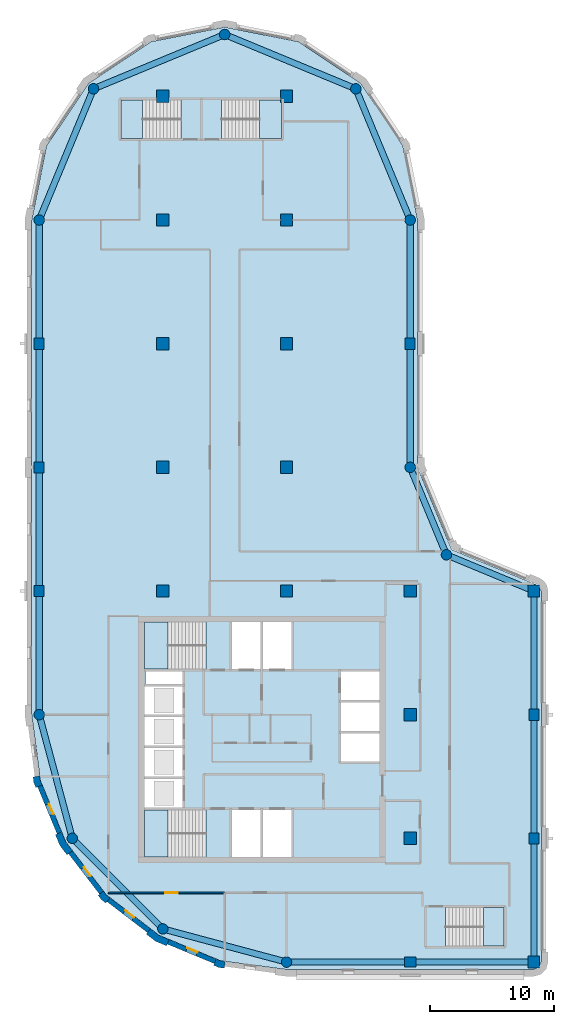
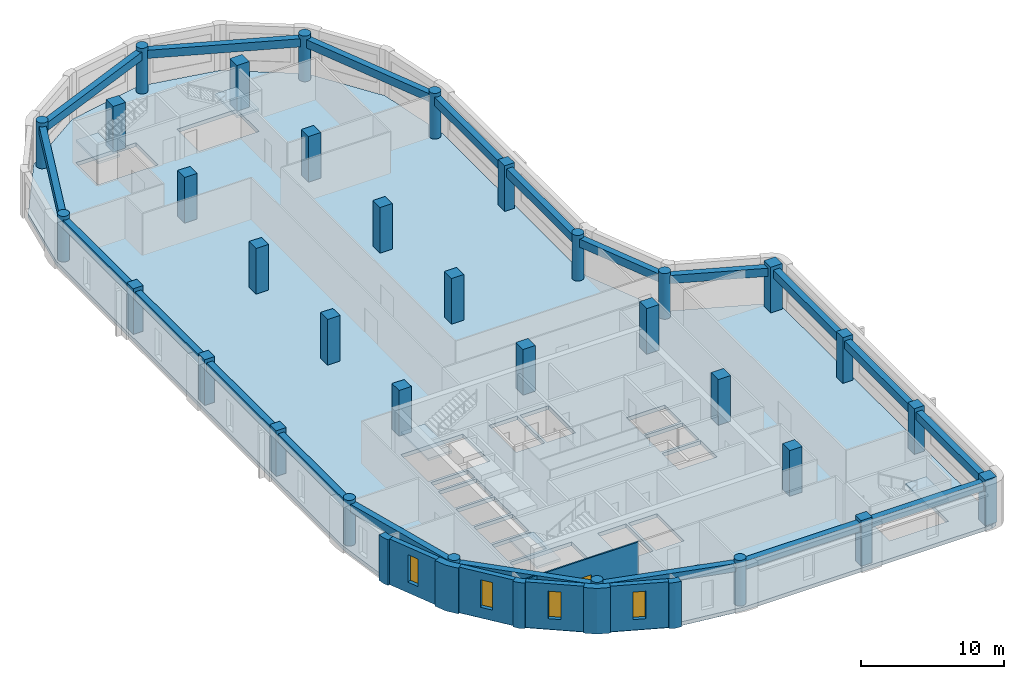
# One storey, part 1 of 8: 33 columns, 20 beams, 10 walls, 6 slabs, 4 windows, 1 door, 5 openings, 5 elements without a shape of their own.
"""IFC4 building model written with IfcOpenShell, lengths in metres."""

from ifc_helpers import new_model, si_unit, direction, frame, frame_2d, origin, origin_2d, place, context, subcontext, project, spatial, polyline, rectangle, circle, outline, extrude, material, layer, layer_set, material_profile, profile_set, type_object, element, fill, aggregate, save


model = new_model("IFC4")

# Units and contexts
model_context = context("Model", 3, precision=1e-05, world=origin(), true_north=direction((0.0, 1.0)))
body_context = subcontext(model_context, "Body", "Model", "MODEL_VIEW")
ifc_project = project(units=[si_unit("LENGTHUNIT", "METRE"), si_unit("AREAUNIT", "SQUARE_METRE"), si_unit("VOLUMEUNIT", "CUBIC_METRE"), si_unit("PLANEANGLEUNIT", "RADIAN"), si_unit("MASSUNIT", "GRAM", prefix="KILO")], contexts=[model_context])

# Site, building, storey
site_placement = place(None, origin())
site = spatial("IfcSite", under=ifc_project, at=site_placement, CompositionType="ELEMENT")
building_placement = place(site_placement, origin())
building = spatial("IfcBuilding", under=site, at=building_placement, Name="Qaws Garden Tower", CompositionType="ELEMENT")
storey_placement = place(building_placement, frame((0.0, 0.0, 282.60009765625)))
storey = spatial("IfcBuildingStorey", under=building, at=storey_placement, Name="L68", CompositionType="ELEMENT", Elevation=282.60009765625)

# Columns
ifc_material_1 = material(Name="Concrete C60", Category="concrete")
ifc_material_profile_1 = material_profile(ifc_material_1, rectangle(XDim=1.0, YDim=1.0, at=origin_2d()), Name="RC 1000x1000")
ifc_profile_set_1 = profile_set([ifc_material_profile_1], Name="Concrete C60")
column_type_1 = type_object("IfcColumnType", Name="Column RC 1000x1000 C60", PredefinedType="COLUMN", material=ifc_profile_set_1)
for number, where, z_axis, x_axis, name in (
    (1, (10.0, 30.0, 0.0), (0.0, 0.0, 1.0), (1.0, 0.0, 0.0), "Column L68-021"),
    (2, (10.0, 40.0, 0.0), (0.0, 0.0, 1.0), (1.0, 0.0, 0.0), "Column L68-022"),
    (3, (10.0, 50.0, 0.0), (0.0, 0.0, 1.0), (1.0, 0.0, 0.0), "Column L68-023"),
    (4, (10.0, 60.0, 0.0), (0.0, 0.0, 1.0), (1.0, 0.0, 0.0), "Column L68-024"),
    (5, (10.0, 70.0, 0.0), (0.0, 0.0, 1.0), (1.0, 0.0, 0.0), "Column L68-025"),
    (6, (20.0, 30.0, 0.0), (0.0, 0.0, 1.0), (1.0, 0.0, 0.0), "Column L68-026"),
    (7, (20.0, 40.0, 0.0), (0.0, 0.0, 1.0), (1.0, 0.0, 0.0), "Column L68-027"),
    (8, (20.0, 50.0, 0.0), (0.0, 0.0, 1.0), (1.0, 0.0, 0.0), "Column L68-028"),
    (9, (20.0, 60.0, 0.0), (0.0, 0.0, 1.0), (1.0, 0.0, 0.0), "Column L68-029"),
    (10, (20.0, 70.0, 0.0), (0.0, 0.0, 1.0), (1.0, 0.0, 0.0), "Column L68-030"),
    (11, (30.0, 10.0, 0.0), (0.0, 0.0, 1.0), (1.0, 0.0, 0.0), "Column L68-031"),
    (12, (30.0, 20.0, 0.0), (0.0, 0.0, 1.0), (1.0, 0.0, 0.0), "Column L68-032"),
    (13, (30.0, 30.0, 0.0), (0.0, 0.0, 1.0), (1.0, 0.0, 0.0), "Column L68-033"),
):
    element("IfcColumn", number, at=place(storey_placement, frame(where, z_axis=z_axis, x_axis=x_axis)), inside=storey, type_object=column_type_1, Name=name, PredefinedType="COLUMN", context=body_context, shape_type="SweptSolid", body=[
        extrude(rectangle(XDim=1.0, YDim=1.0, at=origin_2d()), origin(), (0.0, 0.0, 1.0), 3.89990234375),
    ])
ifc_material_2 = material(Name="Concrete C60", Category="concrete")
ifc_material_profile_2 = material_profile(ifc_material_2, rectangle(XDim=0.89990234375, YDim=0.800048828125, at=origin_2d()), Name="RC 900x800")
ifc_profile_set_2 = profile_set([ifc_material_profile_2], Name="Concrete C60")
column_type_2 = type_object("IfcColumnType", Name="Column RC 900x800 C60", PredefinedType="COLUMN", material=ifc_profile_set_2)
for number, where, z_axis, x_axis, name in (
    (14, (30.0, 0.0, 0.0), (0.0, 0.0, 1.0), (1.0, 0.0, 0.0), "Column L68-002"),
    (15, (40.0, 10.0, 0.0), (0.0, 0.0, 1.0), (0.0, 1.0, 0.0), "Column L68-004"),
    (16, (40.0, 20.0, 0.0), (0.0, 0.0, 1.0), (0.0, 1.0, 0.0), "Column L68-005"),
    (17, (30.0, 50.0, 0.0), (0.0, 0.0, 1.0), (0.0, 1.0, 0.0), "Column L68-009"),
    (18, (0.0, 50.0, 0.0), (0.0, 0.0, 1.0), (0.0, 1.0, 0.0), "Column L68-015"),
    (19, (0.0, 40.0, 0.0), (0.0, 0.0, 1.0), (0.0, 1.0, 0.0), "Column L68-016"),
    (20, (0.0, 30.0, 0.0), (0.0, 0.0, 1.0), (0.0, 1.0, 0.0), "Column L68-017"),
):
    element("IfcColumn", number, at=place(storey_placement, frame(where, z_axis=z_axis, x_axis=x_axis)), inside=storey, type_object=column_type_2, Name=name, PredefinedType="COLUMN", context=body_context, shape_type="SweptSolid", body=[
        extrude(rectangle(XDim=0.89990234375, YDim=0.800048828125, at=origin_2d()), origin(), (0.0, 0.0, 1.0), 3.89990234375),
    ])
ifc_material_3 = material(Name="Concrete C60", Category="concrete")
ifc_material_profile_3 = material_profile(ifc_material_3, rectangle(XDim=0.949951171875, YDim=0.949951171875, at=origin_2d()), Name="RC 950x950")
ifc_profile_set_3 = profile_set([ifc_material_profile_3], Name="Concrete C60")
column_type_3 = type_object("IfcColumnType", Name="Column RC 950x950 C60", PredefinedType="COLUMN", material=ifc_profile_set_3)
for number, where, z_axis, x_axis, name in (
    (21, (40.0, 0.0, 0.0), (0.0, 0.0, 1.0), (1.0, 0.0, 0.0), "Column L68-003"),
    (22, (40.0, 30.0, 0.0), (0.0, 0.0, 1.0), (1.0, 0.0, 0.0), "Column L68-006"),
):
    element("IfcColumn", number, at=place(storey_placement, frame(where, z_axis=z_axis, x_axis=x_axis)), inside=storey, type_object=column_type_3, Name=name, PredefinedType="COLUMN", context=body_context, shape_type="SweptSolid", body=[
        extrude(rectangle(XDim=0.949951171875, YDim=0.949951171875, at=origin_2d()), origin(), (0.0, 0.0, 1.0), 3.89990234375),
    ])
ifc_material_4 = material(Name="Concrete C60", Category="concrete")
ifc_material_profile_4 = material_profile(ifc_material_4, circle(Radius=0.425048828125, at=origin_2d()), Name="RC D850")
ifc_profile_set_4 = profile_set([ifc_material_profile_4], Name="Concrete C60")
column_type_4 = type_object("IfcColumnType", Name="Column RC D850 C60", PredefinedType="COLUMN", material=ifc_profile_set_4)
for number, where, z_axis, x_axis, name in (
    (23, (20.0, 0.0, 0.0), (0.0, 0.0, 1.0), (1.0, 0.0, 0.0), "Column L68-001"),
    (24, (32.928955078125, 32.928955078125, 0.0), (0.0, 0.0, 1.0), (1.0, 0.0, 0.0), "Column L68-007"),
    (25, (30.0, 40.0, 0.0), (0.0, 0.0, 1.0), (1.0, 0.0, 0.0), "Column L68-008"),
    (26, (30.0, 60.0, 0.0), (0.0, 0.0, 1.0), (1.0, 0.0, 0.0), "Column L68-010"),
    (27, (25.606689453125, 70.606689453125, 0.0), (0.0, 0.0, 1.0), (1.0, 0.0, 0.0), "Column L68-011"),
    (28, (15.0, 75.0, 0.0), (0.0, 0.0, 1.0), (1.0, 0.0, 0.0), "Column L68-012"),
    (29, (4.393310546875, 70.606689453125, 0.0), (0.0, 0.0, 1.0), (1.0, 0.0, 0.0), "Column L68-013"),
    (30, (0.0, 60.0, 0.0), (0.0, 0.0, 1.0), (1.0, 0.0, 0.0), "Column L68-014"),
    (31, (0.0, 20.0, 0.0), (0.0, 0.0, 1.0), (1.0, 0.0, 0.0), "Column L68-018"),
    (32, (2.679443359375, 10.0, 0.0), (0.0, 0.0, 1.0), (1.0, 0.0, 0.0), "Column L68-019"),
    (33, (10.0, 2.679443359375, 0.0), (0.0, 0.0, 1.0), (1.0, 0.0, 0.0), "Column L68-020"),
):
    element("IfcColumn", number, at=place(storey_placement, frame(where, z_axis=z_axis, x_axis=x_axis)), inside=storey, type_object=column_type_4, Name=name, PredefinedType="COLUMN", context=body_context, shape_type="SweptSolid", body=[
        extrude(circle(Radius=0.425048828125, at=origin_2d()), origin(), (0.0, 0.0, 1.0), 3.89990234375),
    ])

# Beams
ifc_material_5 = material(Name="Concrete C45", Category="concrete")
ifc_material_profile_5 = material_profile(ifc_material_5, rectangle(XDim=0.5, YDim=0.699951171875, at=origin_2d()), Name="RC 500x700")
ifc_profile_set_5 = profile_set([ifc_material_profile_5], Name="Concrete C45")
beam_type = type_object("IfcBeamType", Name="Spandrel beam RC 500x700 C45", PredefinedType="SPANDREL", material=ifc_profile_set_5)
for number, where, z_axis, x_axis, name in (
    (34, (20.0, 0.0, 3.22998046875), (1.0, 0.0, 0.0), (0.0, 1.0, 0.0), "Spandrel beam L68-001"),
    (35, (30.0, 0.0, 3.22998046875), (1.0, 0.0, 0.0), (0.0, 1.0, 0.0), "Spandrel beam L68-002"),
    (36, (40.0, 0.0, 3.22998046875), (0.0, 1.0, 0.0), (-1.0, 0.0, 0.0), "Spandrel beam L68-003"),
    (37, (40.0, 10.0, 3.22998046875), (0.0, 1.0, 0.0), (-1.0, 0.0, 0.0), "Spandrel beam L68-004"),
    (38, (40.0, 20.0, 3.22998046875), (0.0, 1.0, 0.0), (-1.0, 0.0, 0.0), "Spandrel beam L68-005"),
):
    element("IfcBeam", number, at=place(storey_placement, frame(where, z_axis=z_axis, x_axis=x_axis)), inside=storey, type_object=beam_type, Name=name, PredefinedType="SPANDREL", context=body_context, shape_type="SweptSolid", body=[
        extrude(rectangle(XDim=0.5, YDim=0.699951171875, at=origin_2d()), origin(), (0.0, 0.0, 1.0), 10.0),
    ])
for number, where, z_axis, x_axis, name in (
    (39, (40.0, 30.0, 3.22998046875), (-0.923878037141, 0.382687042488, 0.0), (-0.382687042488, -0.923878037141, 0.0), "Spandrel beam L68-006"),
    (40, (32.928955078125, 32.928955078125, 3.22998046875), (-0.382687042488, 0.923878037141, 0.0), (-0.923878037141, -0.382687042488, 0.0), "Spandrel beam L68-007"),
):
    element("IfcBeam", number, at=place(storey_placement, frame(where, z_axis=z_axis, x_axis=x_axis)), inside=storey, type_object=beam_type, Name=name, PredefinedType="SPANDREL", context=body_context, shape_type="SweptSolid", body=[
        extrude(rectangle(XDim=0.5, YDim=0.699951171875, at=origin_2d()), origin(), (0.0, 0.0, 1.0), 7.653564453125),
    ])
for number, where, z_axis, x_axis, name in (
    (41, (30.0, 40.0, 3.22998046875), (0.0, 1.0, 0.0), (-1.0, 0.0, 0.0), "Spandrel beam L68-008"),
    (42, (30.0, 50.0, 3.22998046875), (0.0, 1.0, 0.0), (-1.0, 0.0, 0.0), "Spandrel beam L68-009"),
):
    element("IfcBeam", number, at=place(storey_placement, frame(where, z_axis=z_axis, x_axis=x_axis)), inside=storey, type_object=beam_type, Name=name, PredefinedType="SPANDREL", context=body_context, shape_type="SweptSolid", body=[
        extrude(rectangle(XDim=0.5, YDim=0.699951171875, at=origin_2d()), origin(), (0.0, 0.0, 1.0), 10.0),
    ])
for number, where, z_axis, x_axis, name in (
    (43, (30.0, 60.0, 3.22998046875), (-0.382674207535, 0.923883353507, 0.0), (-0.923883353507, -0.382674207535, 0.0), "Spandrel beam L68-010"),
    (44, (25.606689453125, 70.606689453125, 3.22998046875), (-0.923883353507, 0.382674207535, 0.0), (-0.382674207535, -0.923883353507, 0.0), "Spandrel beam L68-011"),
    (45, (15.0, 75.0, 3.22998046875), (-0.923883353507, -0.382674207535, 0.0), (0.382674207535, -0.923883353507, 0.0), "Spandrel beam L68-012"),
    (46, (4.393310546875, 70.606689453125, 3.22998046875), (-0.382674207535, -0.923883353507, 0.0), (0.923883353507, -0.382674207535, 0.0), "Spandrel beam L68-013"),
):
    element("IfcBeam", number, at=place(storey_placement, frame(where, z_axis=z_axis, x_axis=x_axis)), inside=storey, type_object=beam_type, Name=name, PredefinedType="SPANDREL", context=body_context, shape_type="SweptSolid", body=[
        extrude(rectangle(XDim=0.5, YDim=0.699951171875, at=origin_2d()), origin(), (0.0, 0.0, 1.0), 11.48046875),
    ])
for number, where, z_axis, x_axis, name in (
    (47, (0.0, 60.0, 3.22998046875), (0.0, -1.0, 0.0), (1.0, 0.0, 0.0), "Spandrel beam L68-014"),
    (48, (0.0, 50.0, 3.22998046875), (0.0, -1.0, 0.0), (1.0, 0.0, 0.0), "Spandrel beam L68-015"),
    (49, (0.0, 40.0, 3.22998046875), (0.0, -1.0, 0.0), (1.0, 0.0, 0.0), "Spandrel beam L68-016"),
    (50, (0.0, 30.0, 3.22998046875), (0.0, -1.0, 0.0), (1.0, 0.0, 0.0), "Spandrel beam L68-017"),
):
    element("IfcBeam", number, at=place(storey_placement, frame(where, z_axis=z_axis, x_axis=x_axis)), inside=storey, type_object=beam_type, Name=name, PredefinedType="SPANDREL", context=body_context, shape_type="SweptSolid", body=[
        extrude(rectangle(XDim=0.5, YDim=0.699951171875, at=origin_2d()), origin(), (0.0, 0.0, 1.0), 10.0),
    ])
for number, where, z_axis, x_axis, name in (
    (51, (0.0, 20.0, 3.22998046875), (0.25881466832, -0.965926999034, 0.0), (0.965926999034, 0.25881466832, 0.0), "Spandrel beam L68-018"),
    (52, (2.679443359375, 10.0, 3.22998046875), (0.707106781187, -0.707106781187, 0.0), (0.707106781187, 0.707106781187, 0.0), "Spandrel beam L68-019"),
    (53, (10.0, 2.679443359375, 3.22998046875), (0.965926999034, -0.25881466832, 0.0), (0.25881466832, 0.965926999034, 0.0), "Spandrel beam L68-020"),
):
    element("IfcBeam", number, at=place(storey_placement, frame(where, z_axis=z_axis, x_axis=x_axis)), inside=storey, type_object=beam_type, Name=name, PredefinedType="SPANDREL", context=body_context, shape_type="SweptSolid", body=[
        extrude(rectangle(XDim=0.5, YDim=0.699951171875, at=origin_2d()), origin(), (0.0, 0.0, 1.0), 10.352783203125),
    ])

# Slab
ifc_material_6 = material(Name="Concrete C40", Category="concrete")
ifc_layer_1 = layer(ifc_material_6, 0.320068359375)
ifc_layer_set_1 = layer_set([ifc_layer_1], Name="Concrete C40")
slab_type_1 = type_object("IfcSlabType", Name="Floor slab 320 C40", PredefinedType="FLOOR", material=ifc_layer_set_1)
slab_1_placement = place(storey_placement, frame((0.0, 0.0, -0.320068359375)))
element("IfcSlab", 54, at=slab_1_placement, inside=storey, type_object=slab_type_1, Name="Floor slab L68", PredefinedType="FLOOR", context=body_context, shape_type="SweptSolid", body=[
    extrude(outline(polyline([(0.101806640625, 14.668212890625), (-0.60009765625, 20.0), (-0.60009765625, 30.60009765625), (-0.60009765625, 60.0), (-0.60009765625, 60.0), (0.58740234375, 65.969970703125), (3.968994140625, 71.031005859375), (9.030029296875, 74.41259765625), (15.0, 75.60009765625), (20.969970703125, 74.41259765625), (26.031005859375, 71.031005859375), (29.41259765625, 65.969970703125), (30.60009765625, 60.0), (30.60009765625, 40.0), (33.353271484375, 33.353271484375), (40.0, 30.60009765625), (40.42431640625, 30.42431640625), (40.60009765625, 30.0), (40.60009765625, 0.0), (40.42431640625, -0.42431640625), (40.0, -0.60009765625), (30.60009765625, -0.60009765625), (20.0, -0.60009765625), (14.668212890625, 0.101806640625), (9.699951171875, 2.159912109375), (5.43359375, 5.43359375), (2.159912109375, 9.699951171875), (0.101806640625, 14.668212890625)]), holes=[polyline([(13.49951171875, 12.300048828125), (8.5, 12.300048828125), (8.5, 8.5), (13.49951171875, 8.5), (13.49951171875, 12.300048828125)]), polyline([(17.89990234375, 12.300048828125), (15.60009765625, 12.300048828125), (15.60009765625, 8.5), (17.89990234375, 8.5), (17.89990234375, 12.300048828125)]), polyline([(11.60009765625, 14.800048828125), (8.5, 14.800048828125), (8.5, 12.5), (11.60009765625, 12.5), (11.60009765625, 14.800048828125)]), polyline([(11.60009765625, 17.300048828125), (8.5, 17.300048828125), (8.5, 15.0), (11.60009765625, 15.0), (11.60009765625, 17.300048828125)]), polyline([(11.60009765625, 19.800048828125), (8.5, 19.800048828125), (8.5, 17.5), (11.60009765625, 17.5), (11.60009765625, 19.800048828125)]), polyline([(11.60009765625, 22.300048828125), (8.5, 22.300048828125), (8.5, 20.0), (11.60009765625, 20.0), (11.60009765625, 22.300048828125)]), polyline([(11.60009765625, 23.5), (8.60009765625, 23.5), (8.60009765625, 22.5), (11.60009765625, 22.5), (11.60009765625, 23.5)]), polyline([(13.49951171875, 27.5), (8.5, 27.5), (8.5, 23.699951171875), (13.49951171875, 23.699951171875), (13.49951171875, 27.5)]), polyline([(11.449462890625, 69.699951171875), (6.60009765625, 69.699951171875), (6.60009765625, 66.60009765625), (11.449462890625, 66.60009765625), (11.449462890625, 69.699951171875)]), polyline([(37.60009765625, 4.39990234375), (32.8505859375, 4.39990234375), (32.8505859375, 1.300048828125), (37.60009765625, 1.300048828125), (37.60009765625, 4.39990234375)]), polyline([(20.39990234375, 12.300048828125), (18.10009765625, 12.300048828125), (18.10009765625, 8.5), (20.39990234375, 8.5), (20.39990234375, 12.300048828125)]), polyline([(27.5, 18.5), (24.39990234375, 18.5), (24.39990234375, 16.199951171875), (27.5, 16.199951171875), (27.5, 18.5)]), polyline([(27.5, 21.0), (24.39990234375, 21.0), (24.39990234375, 18.699951171875), (27.5, 18.699951171875), (27.5, 21.0)]), polyline([(27.5, 23.5), (24.39990234375, 23.5), (24.39990234375, 21.199951171875), (27.5, 21.199951171875), (27.5, 23.5)]), polyline([(17.89990234375, 27.5), (15.60009765625, 27.5), (15.60009765625, 23.699951171875), (17.89990234375, 23.699951171875), (17.89990234375, 27.5)]), polyline([(20.39990234375, 23.699951171875), (20.39990234375, 27.5), (18.10009765625, 27.5), (18.10009765625, 23.699951171875), (20.39990234375, 23.699951171875)]), polyline([(19.60009765625, 66.60009765625), (19.60009765625, 69.699951171875), (14.75048828125, 69.699951171875), (14.75048828125, 66.60009765625), (19.60009765625, 66.60009765625)])]), origin(), (0.0, 0.0, 1.0), 0.320068359375),
])

# Stair, slab
ifc_material_7 = material(Name="Concrete C40", Category="concrete")
stair_type_1 = type_object("IfcStairType", Name="Exit stair 1500", PredefinedType="HALF_TURN_STAIR", material=ifc_material_7)
placement_1 = place(storey_placement, origin())
stair_1 = element("IfcStair", 55, at=placement_1, inside=storey, type_object=stair_type_1, Name="Stair 1", PredefinedType="HALF_TURN_STAIR")
ifc_material_8 = material(Name="Concrete C40", Category="concrete")
ifc_layer_2 = layer(ifc_material_8, 0.199951171875)
ifc_layer_set_2 = layer_set([ifc_layer_2], Name="Concrete C40")
slab_type_2 = type_object("IfcSlabType", Name="Stair landing 200", PredefinedType="LANDING", material=ifc_layer_set_2)
placement_2 = place(storey_placement, frame((0.0, 0.0, 1.75)))
slab_2 = element("IfcSlab", 56, at=placement_2, type_object=slab_type_2, Name="ST1 landing 1", PredefinedType="LANDING", context=body_context, shape_type="SweptSolid", body=[
    extrude(outline(polyline([(8.5, 8.5), (10.419921875, 8.5), (10.419921875, 12.300048828125), (8.5, 12.300048828125), (8.5, 8.5)])), origin(), (0.0, 0.0, 1.0), 0.199951171875),
])
aggregate(stair_1, [slab_2])

stair_2 = element("IfcStair", 57, at=placement_1, inside=storey, type_object=stair_type_1, Name="Stair 4", PredefinedType="HALF_TURN_STAIR")
slab_3 = element("IfcSlab", 58, at=placement_2, type_object=slab_type_2, Name="ST4 landing 1", PredefinedType="LANDING", context=body_context, shape_type="SweptSolid", body=[
    extrude(outline(polyline([(8.5, 23.699951171875), (10.419921875, 23.699951171875), (10.419921875, 27.5), (8.5, 27.5), (8.5, 23.699951171875)])), origin(), (0.0, 0.0, 1.0), 0.199951171875),
])
aggregate(stair_2, [slab_3])

ifc_material_9 = material(Name="Concrete C40", Category="concrete")
stair_type_2 = type_object("IfcStairType", Name="Exit stair 1350", PredefinedType="HALF_TURN_STAIR", material=ifc_material_9)
stair_3 = element("IfcStair", 59, at=placement_1, inside=storey, type_object=stair_type_2, Name="Stair 5", PredefinedType="HALF_TURN_STAIR")
slab_4 = element("IfcSlab", 60, at=placement_2, type_object=slab_type_2, Name="ST5 landing 1", PredefinedType="LANDING", context=body_context, shape_type="SweptSolid", body=[
    extrude(outline(polyline([(35.929931640625, 1.300048828125), (37.60009765625, 1.300048828125), (37.60009765625, 4.39990234375), (35.929931640625, 4.39990234375), (35.929931640625, 1.300048828125)])), origin(), (0.0, 0.0, 1.0), 0.199951171875),
])
aggregate(stair_3, [slab_4])

stair_4 = element("IfcStair", 61, at=placement_1, inside=storey, type_object=stair_type_2, Name="Stair 6", PredefinedType="HALF_TURN_STAIR")
slab_5 = element("IfcSlab", 62, at=placement_2, type_object=slab_type_2, Name="ST6 landing 1", PredefinedType="LANDING", context=body_context, shape_type="SweptSolid", body=[
    extrude(outline(polyline([(6.60009765625, 66.60009765625), (8.3701171875, 66.60009765625), (8.3701171875, 69.699951171875), (6.60009765625, 69.699951171875), (6.60009765625, 66.60009765625)])), origin(), (0.0, 0.0, 1.0), 0.199951171875),
])
aggregate(stair_4, [slab_5])

stair_5 = element("IfcStair", 63, at=placement_1, inside=storey, type_object=stair_type_2, Name="Stair 7", PredefinedType="HALF_TURN_STAIR")
slab_6 = element("IfcSlab", 64, at=placement_2, type_object=slab_type_2, Name="ST7 landing 1", PredefinedType="LANDING", context=body_context, shape_type="SweptSolid", body=[
    extrude(outline(polyline([(17.830078125, 66.60009765625), (19.60009765625, 66.60009765625), (19.60009765625, 69.699951171875), (17.830078125, 69.699951171875), (17.830078125, 66.60009765625)])), origin(), (0.0, 0.0, 1.0), 0.199951171875),
])
aggregate(stair_5, [slab_6])

# Wall, opening, window
ifc_material_10 = material(Name="Clay facing brick masonry", Category="masonry")
ifc_layer_3 = layer(ifc_material_10, 0.39990234375)
ifc_layer_set_3 = layer_set([ifc_layer_3], Name="Clay facing brick masonry")
wall_type_1 = type_object("IfcWallType", Name="Brick infill wall 400", PredefinedType="SOLIDWALL", material=ifc_layer_set_3)
wall_1_placement = place(storey_placement, frame((0.05712890625, 14.240234375, 0.0), z_axis=(0.0, 0.0, 1.0), x_axis=(0.382721546029, -0.923863744394, 0.0)))
wall_1 = element("IfcWall", 65, at=wall_1_placement, inside=storey, type_object=wall_type_1, Name="E-L68-infill-22", PredefinedType="SOLIDWALL", context=body_context, shape_type="SweptSolid", body=[
    extrude(rectangle(XDim=4.120849609375, YDim=0.39990234375, at=frame_2d((2.060546875, 0.0))), origin(), (0.0, 0.0, 1.0), 3.89990234375),
])
opening_1_placement = place(wall_1_placement, frame((1.610595703125, 0.0, 0.89990234375)))
opening_1 = element("IfcOpeningElement", 66, at=opening_1_placement, cuts=wall_1, Name="Opening W09", PredefinedType="OPENING", context=body_context, shape_type="SweptSolid", body=[
    extrude(rectangle(XDim=0.89990234375, YDim=2.35009765625, at=frame_2d((0.449951171875, 1.175048828125))), frame((0.0, 0.2099609375, 0.0), z_axis=(0.0, -1.0, 0.0), x_axis=(1.0, 0.0, 0.0)), (0.0, 0.0, 1.0), 0.419921875),
])
ifc_material_11 = material(Name="Aluminium framed window, clear glazing", Category="aluminium")
window_type = type_object("IfcWindowType", Name="Slit window 900 x 2350", PartitioningType="SINGLE_PANEL", PredefinedType="WINDOW", material=ifc_material_11)
window_1_placement = place(opening_1_placement, origin())
window_1 = element("IfcWindow", 67, at=window_1_placement, inside=storey, type_object=window_type, Name="E-L68-window-22-0", OverallHeight=2.35009765625, OverallWidth=0.89990234375, PartitioningType="SINGLE_PANEL", PredefinedType="WINDOW", context=body_context, shape_type="SweptSolid", body=[
    extrude(rectangle(XDim=0.89990234375, YDim=2.35009765625, at=frame_2d((0.449951171875, 1.175048828125))), frame((0.0, 0.159912109375, 0.0), z_axis=(0.0, -1.0, 0.0), x_axis=(1.0, 0.0, 0.0)), (0.0, 0.0, 1.0), 0.06005859375),
])
fill(opening_1, window_1)

wall_2_placement = place(storey_placement, frame((2.53173828125, 8.87841796875, 0.0), z_axis=(0.0, 0.0, 1.0), x_axis=(0.608759824817, -0.793354571229, 0.0)))
wall_2 = element("IfcWall", 68, at=wall_2_placement, inside=storey, type_object=wall_type_1, Name="E-L68-infill-23", PredefinedType="SOLIDWALL", context=body_context, shape_type="SweptSolid", body=[
    extrude(rectangle(XDim=4.12109375, YDim=0.39990234375, at=frame_2d((2.060546875, 0.0))), origin(), (0.0, 0.0, 1.0), 3.89990234375),
])
opening_2_placement = place(wall_2_placement, frame((1.610595703125, 0.0, 0.89990234375)))
opening_2 = element("IfcOpeningElement", 69, at=opening_2_placement, cuts=wall_2, Name="Opening W09", PredefinedType="OPENING", context=body_context, shape_type="SweptSolid", body=[
    extrude(rectangle(XDim=0.89990234375, YDim=2.35009765625, at=frame_2d((0.449951171875, 1.175048828125))), frame((0.0, 0.2099609375, 0.0), z_axis=(0.0, -1.0, 0.0), x_axis=(1.0, 0.0, 0.0)), (0.0, 0.0, 1.0), 0.419921875),
])
window_2_placement = place(opening_2_placement, origin())
window_2 = element("IfcWindow", 70, at=window_2_placement, inside=storey, type_object=window_type, Name="E-L68-window-23-0", OverallHeight=2.35009765625, OverallWidth=0.89990234375, PartitioningType="SINGLE_PANEL", PredefinedType="WINDOW", context=body_context, shape_type="SweptSolid", body=[
    extrude(rectangle(XDim=0.89990234375, YDim=2.35009765625, at=frame_2d((0.449951171875, 1.175048828125))), frame((0.0, 0.159912109375, 0.0), z_axis=(0.0, -1.0, 0.0), x_axis=(1.0, 0.0, 0.0)), (0.0, 0.0, 1.0), 0.06005859375),
])
fill(opening_2, window_2)

wall_3_placement = place(storey_placement, frame((5.60888671875, 5.04052734375, 0.0), z_axis=(0.0, 0.0, 1.0), x_axis=(0.793354571229, -0.608759824817, 0.0)))
wall_3 = element("IfcWall", 71, at=wall_3_placement, inside=storey, type_object=wall_type_1, Name="E-L68-infill-24", PredefinedType="SOLIDWALL", context=body_context, shape_type="SweptSolid", body=[
    extrude(rectangle(XDim=4.12109375, YDim=0.39990234375, at=frame_2d((2.060546875, 0.0))), origin(), (0.0, 0.0, 1.0), 3.89990234375),
])
opening_3_placement = place(wall_3_placement, frame((1.610595703125, 0.0, 0.89990234375)))
opening_3 = element("IfcOpeningElement", 72, at=opening_3_placement, cuts=wall_3, Name="Opening W09", PredefinedType="OPENING", context=body_context, shape_type="SweptSolid", body=[
    extrude(rectangle(XDim=0.89990234375, YDim=2.35009765625, at=frame_2d((0.449951171875, 1.175048828125))), frame((0.0, 0.2099609375, 0.0), z_axis=(0.0, -1.0, 0.0), x_axis=(1.0, 0.0, 0.0)), (0.0, 0.0, 1.0), 0.419921875),
])
window_3_placement = place(opening_3_placement, origin())
window_3 = element("IfcWindow", 73, at=window_3_placement, inside=storey, type_object=window_type, Name="E-L68-window-24-0", OverallHeight=2.35009765625, OverallWidth=0.89990234375, PartitioningType="SINGLE_PANEL", PredefinedType="WINDOW", context=body_context, shape_type="SweptSolid", body=[
    extrude(rectangle(XDim=0.89990234375, YDim=2.35009765625, at=frame_2d((0.449951171875, 1.175048828125))), frame((0.0, 0.159912109375, 0.0), z_axis=(0.0, -1.0, 0.0), x_axis=(1.0, 0.0, 0.0)), (0.0, 0.0, 1.0), 0.06005859375),
])
fill(opening_3, window_3)

wall_4_placement = place(storey_placement, frame((10.43310546875, 1.63427734375, 0.0), z_axis=(0.0, 0.0, 1.0), x_axis=(0.923863744394, -0.382721546029, 0.0)))
wall_4 = element("IfcWall", 74, at=wall_4_placement, inside=storey, type_object=wall_type_1, Name="E-L68-infill-25", PredefinedType="SOLIDWALL", context=body_context, shape_type="SweptSolid", body=[
    extrude(rectangle(XDim=4.120849609375, YDim=0.39990234375, at=frame_2d((2.060546875, 0.0))), origin(), (0.0, 0.0, 1.0), 3.89990234375),
])
opening_4_placement = place(wall_4_placement, frame((1.610595703125, 0.0, 0.89990234375)))
opening_4 = element("IfcOpeningElement", 75, at=opening_4_placement, cuts=wall_4, Name="Opening W09", PredefinedType="OPENING", context=body_context, shape_type="SweptSolid", body=[
    extrude(rectangle(XDim=0.89990234375, YDim=2.35009765625, at=frame_2d((0.449951171875, 1.175048828125))), frame((0.0, 0.2099609375, 0.0), z_axis=(0.0, -1.0, 0.0), x_axis=(1.0, 0.0, 0.0)), (0.0, 0.0, 1.0), 0.419921875),
])
window_4_placement = place(opening_4_placement, origin())
window_4 = element("IfcWindow", 76, at=window_4_placement, inside=storey, type_object=window_type, Name="E-L68-window-25-0", OverallHeight=2.35009765625, OverallWidth=0.89990234375, PartitioningType="SINGLE_PANEL", PredefinedType="WINDOW", context=body_context, shape_type="SweptSolid", body=[
    extrude(rectangle(XDim=0.89990234375, YDim=2.35009765625, at=frame_2d((0.449951171875, 1.175048828125))), frame((0.0, 0.159912109375, 0.0), z_axis=(0.0, -1.0, 0.0), x_axis=(1.0, 0.0, 0.0)), (0.0, 0.0, 1.0), 0.06005859375),
])
fill(opening_4, window_4)

# Walls
ifc_material_12 = material(Name="Clay facing brick masonry", Category="masonry")
ifc_layer_4 = layer(ifc_material_12, 0.550048828125)
ifc_layer_set_4 = layer_set([ifc_layer_4], Name="Clay facing brick masonry")
wall_type_2 = type_object("IfcWallType", Name="Brick kink pier 550 x 600", PredefinedType="SOLIDWALL", material=ifc_layer_set_4)
element("IfcWall", 77, at=placement_1, inside=storey, type_object=wall_type_2, Name="E-L68-pier-22", PredefinedType="SOLIDWALL", context=body_context, shape_type="SweptSolid", body=[
    extrude(outline(polyline([(-0.34912109375, 14.990478515625), (-0.497802734375, 14.970947265625), (-0.43896484375, 14.5234375), (-0.26611328125, 14.1064453125), (-0.127685546875, 14.163818359375), (0.241943359375, 14.31689453125), (0.096923828125, 14.6669921875), (0.04736328125, 15.042724609375), (-0.34912109375, 14.990478515625)])), origin(), (0.0, 0.0, 1.0), 3.89990234375),
])
element("IfcWall", 78, at=placement_1, inside=storey, type_object=wall_type_2, Name="E-L68-pier-24", PredefinedType="SOLIDWALL", context=body_context, shape_type="SweptSolid", body=[
    extrude(outline(polyline([(4.8818359375, 5.487060546875), (4.762939453125, 5.395751953125), (5.03759765625, 5.03759765625), (5.395751953125, 4.762939453125), (5.487060546875, 4.8818359375), (5.730712890625, 5.19921875), (5.429931640625, 5.429931640625), (5.19921875, 5.730712890625), (4.8818359375, 5.487060546875)])), origin(), (0.0, 0.0, 1.0), 3.89990234375),
])
element("IfcWall", 79, at=placement_1, inside=storey, type_object=wall_type_2, Name="E-L68-pier-26", PredefinedType="SOLIDWALL", context=body_context, shape_type="SweptSolid", body=[
    extrude(outline(polyline([(14.163818359375, -0.127685546875), (14.1064453125, -0.26611328125), (14.5234375, -0.43896484375), (14.970947265625, -0.497802734375), (14.990478515625, -0.34912109375), (15.042724609375, 0.04736328125), (14.6669921875, 0.096923828125), (14.31689453125, 0.241943359375), (14.163818359375, -0.127685546875)])), origin(), (0.0, 0.0, 1.0), 3.89990234375),
])
ifc_material_13 = material(Name="Clay facing brick masonry", Category="masonry")
ifc_layer_5 = layer(ifc_material_13, 0.550048828125)
ifc_layer_set_5 = layer_set([ifc_layer_5], Name="Clay facing brick masonry")
wall_type_3 = type_object("IfcWallType", Name="Brick pier 550 x 1600", PredefinedType="SOLIDWALL", material=ifc_layer_set_5)
element("IfcWall", 80, at=placement_1, inside=storey, type_object=wall_type_3, Name="E-L68-pier-23", PredefinedType="SOLIDWALL", context=body_context, shape_type="SweptSolid", body=[
    extrude(outline(polyline([(1.449462890625, 10.3564453125), (1.310791015625, 10.299072265625), (1.675048828125, 9.419921875), (2.254150390625, 8.665283203125), (2.373046875, 8.756591796875), (2.6904296875, 9.0), (2.1552734375, 9.697509765625), (1.819091796875, 10.509521484375), (1.449462890625, 10.3564453125)])), origin(), (0.0, 0.0, 1.0), 3.89990234375),
])
element("IfcWall", 81, at=placement_1, inside=storey, type_object=wall_type_3, Name="E-L68-pier-25", PredefinedType="SOLIDWALL", context=body_context, shape_type="SweptSolid", body=[
    extrude(outline(polyline([(8.756591796875, 2.373046875), (8.665283203125, 2.254150390625), (9.419921875, 1.675048828125), (10.299072265625, 1.310791015625), (10.3564453125, 1.449462890625), (10.509521484375, 1.819091796875), (9.697509765625, 2.1552734375), (9.0, 2.6904296875), (8.756591796875, 2.373046875)])), origin(), (0.0, 0.0, 1.0), 3.89990234375),
])

# Wall, opening, door
ifc_material_14 = material(Name="Glass and aluminium framing", Category="aluminium")
ifc_layer_6 = layer(ifc_material_14, 0.1201171875)
ifc_layer_set_6 = layer_set([ifc_layer_6], Name="Glass and aluminium framing")
wall_type_4 = type_object("IfcWallType", Name="GLAZED PARTITION 120 EI 30", PredefinedType="PARTITIONING", material=ifc_layer_set_6)
wall_10_placement = place(storey_placement, frame((5.60009765625, 5.60009765625, 0.0), z_axis=(0.0, 0.0, 1.0), x_axis=(1.0, 0.0, 0.0)))
wall_10 = element("IfcWall", 82, at=wall_10_placement, inside=storey, type_object=wall_type_4, Name="O-L68-wall-034", PredefinedType="PARTITIONING", context=body_context, shape_type="SweptSolid", body=[
    extrude(rectangle(XDim=9.39990234375, YDim=0.1201171875, at=frame_2d((4.699951171875, 0.0))), origin(), (0.0, 0.0, 1.0), 3.579833984375),
])
opening_5_placement = place(wall_10_placement, frame((4.60009765625, 0.0, 0.0)))
opening_5 = element("IfcOpeningElement", 83, at=opening_5_placement, cuts=wall_10, Name="Opening C4B06", PredefinedType="OPENING", context=body_context, shape_type="SweptSolid", body=[
    extrude(rectangle(XDim=1.0, YDim=2.10009765625, at=frame_2d((0.5, 1.050048828125))), frame((0.0, 0.070068359375, 0.0), z_axis=(0.0, -1.0, 0.0), x_axis=(1.0, 0.0, 0.0)), (0.0, 0.0, 1.0), 0.14013671875),
])
ifc_material_15 = material(Name="Timber door leaf", Category="wood")
door_type = type_object("IfcDoorType", Name="TENANCY ENTRANCE DOOR 1000 X 2100", OperationType="SINGLE_SWING_LEFT", PredefinedType="DOOR", material=ifc_material_15)
door_placement = place(opening_5_placement, frame((1.0, 0.0, 0.0), z_axis=(0.0, 0.0, 1.0), x_axis=(-1.0, 0.0, 0.0)))
door = element("IfcDoor", 84, at=door_placement, inside=storey, type_object=door_type, Name="O-L68-door-006", OperationType="SINGLE_SWING_LEFT", OverallHeight=2.10009765625, OverallWidth=1.0, PredefinedType="DOOR", context=body_context, shape_type="SweptSolid", body=[
    extrude(rectangle(XDim=1.0, YDim=2.10009765625, at=frame_2d((0.5, 1.050048828125))), frame((0.0, 0.02490234375, 0.0), z_axis=(0.0, -1.0, 0.0), x_axis=(1.0, 0.0, 0.0)), (0.0, 0.0, 1.0), 0.050048828125),
])
fill(opening_5, door)

save(model, "model.ifc")
